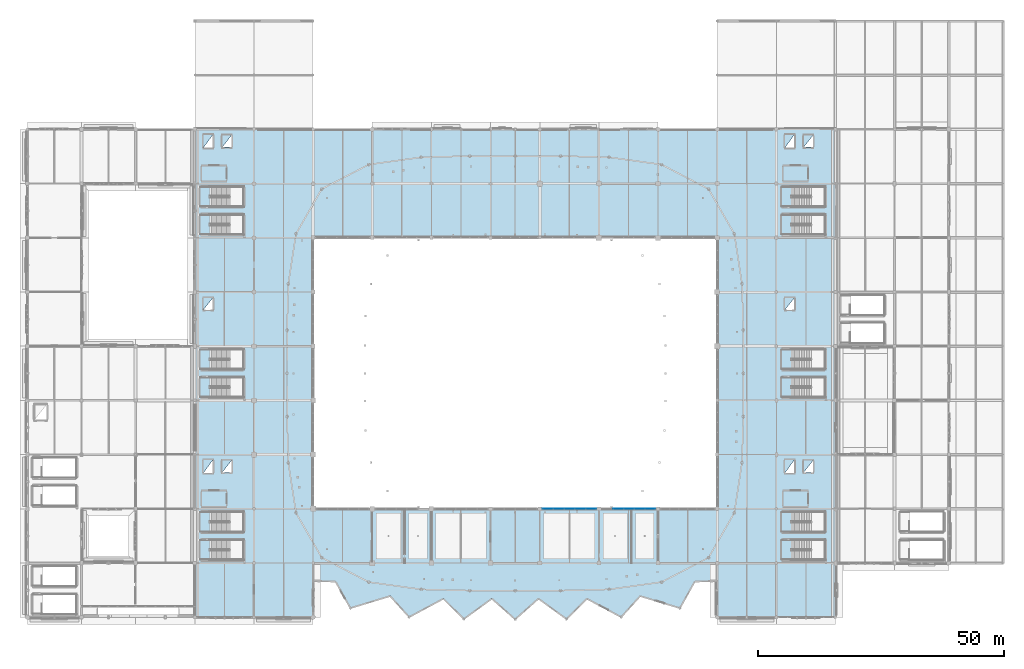
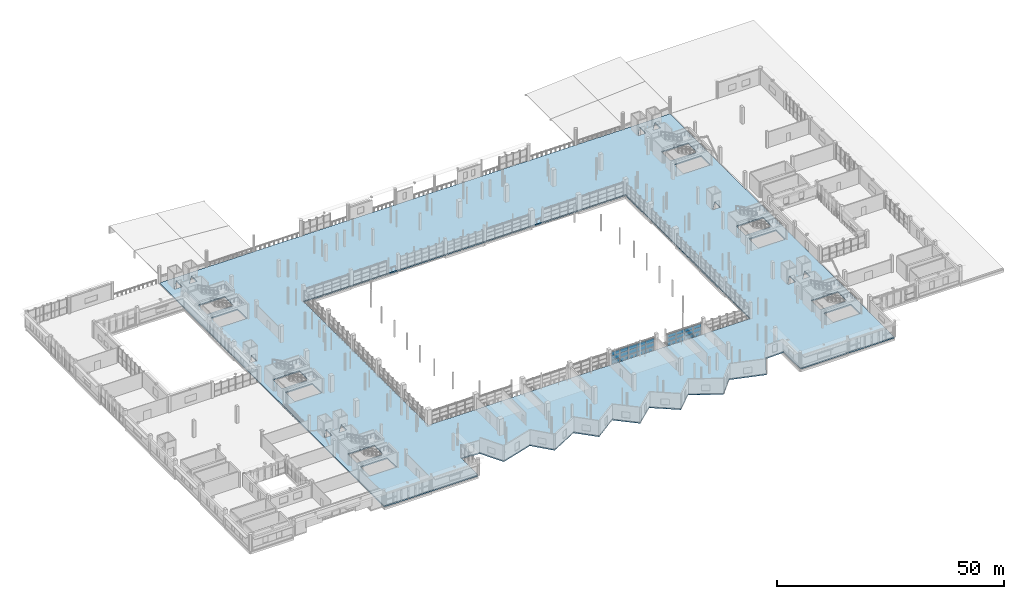
# One storey, part 68 of 118: 27 plates, 1 slab, 2 elements without a shape of their own.
"""IFC4 building model written with IfcOpenShell, lengths in metres."""

from ifc_helpers import new_model, si_unit, direction, frame, origin, origin_2d, place, context, subcontext, project, spatial, polyline, rectangle, outline, extrude, material, layer, layer_set, type_object, element, aggregate, save


model = new_model("IFC4")

# Units and contexts
model_context = context("Model", 3, precision=1e-05, world=origin(), true_north=direction((0.0, 1.0)))
body_context = subcontext(model_context, "Body", "Model", "MODEL_VIEW")
ifc_project = project(units=[si_unit("LENGTHUNIT", "METRE"), si_unit("AREAUNIT", "SQUARE_METRE"), si_unit("VOLUMEUNIT", "CUBIC_METRE"), si_unit("PLANEANGLEUNIT", "RADIAN"), si_unit("MASSUNIT", "GRAM", prefix="KILO")], contexts=[model_context])

# Site, building, storey
site_placement = place(None, origin())
site = spatial("IfcSite", under=ifc_project, at=site_placement, CompositionType="ELEMENT")
building_placement = place(site_placement, origin())
building = spatial("IfcBuilding", under=site, at=building_placement, Name="Luwafu Chhajja Arena", CompositionType="ELEMENT")
storey_placement = place(building_placement, frame((0.0, 0.0, 10.199951171875)))
storey = spatial("IfcBuildingStorey", under=building, at=storey_placement, Name="L02", CompositionType="ELEMENT", Elevation=10.199951171875)

# Slab
ifc_material_1 = material(Name="Concrete C35/45", Category="concrete")
ifc_layer_1 = layer(ifc_material_1, 0.320068359375, Name="Concrete C35/45")
ifc_layer_set_1 = layer_set([ifc_layer_1], Name="Concrete C35/45")
slab_type = type_object("IfcSlabType", Name="Hospitality Suite Floor Slab 320", PredefinedType="FLOOR", material=ifc_layer_set_1)
slab_placement = place(storey_placement, frame((0.0, 0.0, -0.320068359375)))
element("IfcSlab", 1, at=slab_placement, inside=storey, type_object=slab_type, Name="L02 Structural Floor Slab 1", PredefinedType="FLOOR", context=body_context, shape_type="SweptSolid", body=[
    extrude(outline(polyline([(163.949951171875, 99.0), (163.949951171875, 0.0), (140.0, 0.0), (140.0, 7.407958984375), (135.426025390625, 7.237060546875), (132.427978515625, 1.864013671875), (124.364013671875, 4.31591796875), (120.510986328125, 0.051025390625), (113.56689453125, 3.77587890625), (109.412109375, -0.343017578125), (103.72802734375, 3.7900390625), (99.0, -0.39990234375), (94.27197265625, 3.7900390625), (88.587890625, -0.343017578125), (84.43310546875, 3.77587890625), (77.489013671875, 0.051025390625), (73.635986328125, 4.31591796875), (65.572998046875, 1.864013671875), (62.573974609375, 7.237060546875), (58.0, 7.407958984375), (58.0, 0.0), (34.050048828125, 0.0), (34.050048828125, 99.0), (163.949951171875, 99.0)]), holes=[polyline([(161.89990234375, 81.68994140625), (155.06494140625, 81.68994140625), (155.06494140625, 77.64990234375), (161.89990234375, 77.64990234375), (161.89990234375, 81.68994140625)]), polyline([(161.89990234375, 48.68994140625), (155.06494140625, 48.68994140625), (155.06494140625, 44.64990234375), (161.89990234375, 44.64990234375), (161.89990234375, 48.68994140625)]), polyline([(161.89990234375, 15.68994140625), (155.06494140625, 15.68994140625), (155.06494140625, 11.64990234375), (161.89990234375, 11.64990234375), (161.89990234375, 15.68994140625)]), polyline([(161.89990234375, 17.31005859375), (161.89990234375, 21.35009765625), (155.06494140625, 21.35009765625), (155.06494140625, 17.31005859375), (161.89990234375, 17.31005859375)]), polyline([(161.89990234375, 50.31005859375), (161.89990234375, 54.35009765625), (155.06494140625, 54.35009765625), (155.06494140625, 50.31005859375), (161.89990234375, 50.31005859375)]), polyline([(161.89990234375, 83.31005859375), (161.89990234375, 87.35009765625), (155.06494140625, 87.35009765625), (155.06494140625, 83.31005859375), (161.89990234375, 83.31005859375)]), polyline([(157.530029296875, 29.3798828125), (159.469970703125, 29.3798828125), (159.469970703125, 31.820068359375), (157.530029296875, 29.3798828125)]), polyline([(159.469970703125, 97.820068359375), (157.530029296875, 95.3798828125), (159.469970703125, 95.3798828125), (159.469970703125, 97.820068359375)]), polyline([(153.72998046875, 62.3798828125), (155.669921875, 62.3798828125), (155.669921875, 64.820068359375), (153.72998046875, 62.3798828125)]), polyline([(153.72998046875, 95.2548828125), (155.669921875, 95.2548828125), (155.669921875, 97.945068359375), (153.72998046875, 95.2548828125)]), polyline([(155.669921875, 29.2548828125), (155.669921875, 31.945068359375), (153.72998046875, 29.2548828125), (155.669921875, 29.2548828125)]), polyline([(140.0, 77.0), (58.0, 77.0), (58.0, 22.0), (140.0, 22.0), (140.0, 77.0)]), polyline([(37.06494140625, 87.35009765625), (37.06494140625, 83.31005859375), (43.89990234375, 83.31005859375), (43.89990234375, 87.35009765625), (37.06494140625, 87.35009765625)]), polyline([(37.06494140625, 21.35009765625), (37.06494140625, 17.31005859375), (43.89990234375, 17.31005859375), (43.89990234375, 21.35009765625), (37.06494140625, 21.35009765625)]), polyline([(37.06494140625, 11.64990234375), (43.89990234375, 11.64990234375), (43.89990234375, 15.68994140625), (37.06494140625, 15.68994140625), (37.06494140625, 11.64990234375)]), polyline([(37.06494140625, 44.64990234375), (43.89990234375, 44.64990234375), (43.89990234375, 48.68994140625), (37.06494140625, 48.68994140625), (37.06494140625, 44.64990234375)]), polyline([(37.06494140625, 77.64990234375), (43.89990234375, 77.64990234375), (43.89990234375, 81.68994140625), (37.06494140625, 81.68994140625), (37.06494140625, 77.64990234375)]), polyline([(37.06494140625, 54.35009765625), (37.06494140625, 50.31005859375), (43.89990234375, 50.31005859375), (43.89990234375, 54.35009765625), (37.06494140625, 54.35009765625)]), polyline([(41.469970703125, 95.3798828125), (41.469970703125, 97.820068359375), (39.530029296875, 95.3798828125), (41.469970703125, 95.3798828125)]), polyline([(41.469970703125, 31.820068359375), (39.530029296875, 29.3798828125), (41.469970703125, 29.3798828125), (41.469970703125, 31.820068359375)]), polyline([(37.669921875, 97.945068359375), (35.72998046875, 95.2548828125), (37.669921875, 95.2548828125), (37.669921875, 97.945068359375)]), polyline([(35.72998046875, 29.2548828125), (37.669921875, 29.2548828125), (37.669921875, 31.945068359375), (35.72998046875, 29.2548828125)]), polyline([(37.669921875, 62.3798828125), (37.669921875, 64.820068359375), (35.72998046875, 62.3798828125), (37.669921875, 62.3798828125)])]), origin(), (0.0, 0.0, 1.0), 0.320068359375),
])

# Curtain wall, plates
ifc_material_2 = material(Name="Anodised bronze aluminium", Category="aluminium")
curtain_wall_type = type_object("IfcCurtainWallType", Name="Hospitality Ring Curtain Wall", PredefinedType="USERDEFINED", material=ifc_material_2)
curtain_wall_1_placement = place(storey_placement, origin())
curtain_wall_1 = element("IfcCurtainWall", 2, at=curtain_wall_1_placement, inside=storey, type_object=curtain_wall_type, Name="L02 Bowl Viewing Curtain Wall CWR-L02-05", ObjectType="CURTAIN WALL", PredefinedType="USERDEFINED")
ifc_material_3 = material(Name="Solar-control laminated glass", Category="glass")
ifc_layer_2 = layer(ifc_material_3, 0.028076171875, Name="Solar-control laminated glass")
ifc_layer_set_2 = layer_set([ifc_layer_2], Name="Solar-control laminated glass")
plate_type = type_object("IfcPlateType", Name="Solar Control Double Glazed CW Panel 28", PredefinedType="CURTAIN_PANEL", material=ifc_layer_set_2)
plate_1_placement = place(storey_placement, frame((105.650634765625, 22.0, 0.06494140625), z_axis=(0.0, 0.0, 1.0), x_axis=(1.0, 0.0, 0.0)))
plate_1 = element("IfcPlate", 3, at=plate_1_placement, type_object=plate_type, Name="CW-02 panel 1.1", PredefinedType="CURTAIN_PANEL", context=body_context, shape_type="SweptSolid", body=[
    extrude(rectangle(XDim=2.091552734375, YDim=0.028076171875, at=origin_2d()), origin(), (0.0, 0.0, 1.0), 1.052490234375),
])
plate_2_placement = place(storey_placement, frame((105.650634765625, 22.0, 1.1826171875), z_axis=(0.0, 0.0, 1.0), x_axis=(1.0, 0.0, 0.0)))
plate_2 = element("IfcPlate", 4, at=plate_2_placement, type_object=plate_type, Name="CW-02 panel 1.2", PredefinedType="CURTAIN_PANEL", context=body_context, shape_type="SweptSolid", body=[
    extrude(rectangle(XDim=2.091552734375, YDim=0.028076171875, at=origin_2d()), origin(), (0.0, 0.0, 1.0), 1.094970703125),
])
plate_3_placement = place(storey_placement, frame((105.650634765625, 22.0, 2.34228515625), z_axis=(0.0, 0.0, 1.0), x_axis=(1.0, 0.0, 0.0)))
plate_3 = element("IfcPlate", 5, at=plate_3_placement, type_object=plate_type, Name="CW-02 panel 1.3", PredefinedType="CURTAIN_PANEL", context=body_context, shape_type="SweptSolid", body=[
    extrude(rectangle(XDim=2.091552734375, YDim=0.028076171875, at=origin_2d()), origin(), (0.0, 0.0, 1.0), 1.0625),
])
plate_4_placement = place(storey_placement, frame((107.823486328125, 22.0, 0.06494140625), z_axis=(0.0, 0.0, 1.0), x_axis=(1.0, 0.0, 0.0)))
plate_4 = element("IfcPlate", 6, at=plate_4_placement, type_object=plate_type, Name="CW-02 panel 2.1", PredefinedType="CURTAIN_PANEL", context=body_context, shape_type="SweptSolid", body=[
    extrude(rectangle(XDim=2.1240234375, YDim=0.028076171875, at=origin_2d()), origin(), (0.0, 0.0, 1.0), 1.052490234375),
])
plate_5_placement = place(storey_placement, frame((107.823486328125, 22.0, 1.1826171875), z_axis=(0.0, 0.0, 1.0), x_axis=(1.0, 0.0, 0.0)))
plate_5 = element("IfcPlate", 7, at=plate_5_placement, type_object=plate_type, Name="CW-02 panel 2.2", PredefinedType="CURTAIN_PANEL", context=body_context, shape_type="SweptSolid", body=[
    extrude(rectangle(XDim=2.1240234375, YDim=0.028076171875, at=origin_2d()), origin(), (0.0, 0.0, 1.0), 1.094970703125),
])
plate_6_placement = place(storey_placement, frame((107.823486328125, 22.0, 2.34228515625), z_axis=(0.0, 0.0, 1.0), x_axis=(1.0, 0.0, 0.0)))
plate_6 = element("IfcPlate", 8, at=plate_6_placement, type_object=plate_type, Name="CW-02 panel 2.3", PredefinedType="CURTAIN_PANEL", context=body_context, shape_type="SweptSolid", body=[
    extrude(rectangle(XDim=2.1240234375, YDim=0.028076171875, at=origin_2d()), origin(), (0.0, 0.0, 1.0), 1.0625),
])
plate_7_placement = place(storey_placement, frame((110.012451171875, 22.0, 0.06494140625), z_axis=(0.0, 0.0, 1.0), x_axis=(1.0, 0.0, 0.0)))
plate_7 = element("IfcPlate", 9, at=plate_7_placement, type_object=plate_type, Name="CW-02 panel 3.1", PredefinedType="CURTAIN_PANEL", context=body_context, shape_type="SweptSolid", body=[
    extrude(rectangle(XDim=2.1240234375, YDim=0.028076171875, at=origin_2d()), origin(), (0.0, 0.0, 1.0), 1.052490234375),
])
plate_8_placement = place(storey_placement, frame((110.012451171875, 22.0, 1.1826171875), z_axis=(0.0, 0.0, 1.0), x_axis=(1.0, 0.0, 0.0)))
plate_8 = element("IfcPlate", 10, at=plate_8_placement, type_object=plate_type, Name="CW-02 panel 3.2", PredefinedType="CURTAIN_PANEL", context=body_context, shape_type="SweptSolid", body=[
    extrude(rectangle(XDim=2.1240234375, YDim=0.028076171875, at=origin_2d()), origin(), (0.0, 0.0, 1.0), 1.094970703125),
])
plate_9_placement = place(storey_placement, frame((110.012451171875, 22.0, 2.34228515625), z_axis=(0.0, 0.0, 1.0), x_axis=(1.0, 0.0, 0.0)))
plate_9 = element("IfcPlate", 11, at=plate_9_placement, type_object=plate_type, Name="CW-02 panel 3.3", PredefinedType="CURTAIN_PANEL", context=body_context, shape_type="SweptSolid", body=[
    extrude(rectangle(XDim=2.1240234375, YDim=0.028076171875, at=origin_2d()), origin(), (0.0, 0.0, 1.0), 1.0625),
])
plate_10_placement = place(storey_placement, frame((112.201416015625, 22.0, 0.06494140625), z_axis=(0.0, 0.0, 1.0), x_axis=(1.0, 0.0, 0.0)))
plate_10 = element("IfcPlate", 12, at=plate_10_placement, type_object=plate_type, Name="CW-02 panel 4.1", PredefinedType="CURTAIN_PANEL", context=body_context, shape_type="SweptSolid", body=[
    extrude(rectangle(XDim=2.1240234375, YDim=0.028076171875, at=origin_2d()), origin(), (0.0, 0.0, 1.0), 1.052490234375),
])
plate_11_placement = place(storey_placement, frame((112.201416015625, 22.0, 1.1826171875), z_axis=(0.0, 0.0, 1.0), x_axis=(1.0, 0.0, 0.0)))
plate_11 = element("IfcPlate", 13, at=plate_11_placement, type_object=plate_type, Name="CW-02 panel 4.2", PredefinedType="CURTAIN_PANEL", context=body_context, shape_type="SweptSolid", body=[
    extrude(rectangle(XDim=2.1240234375, YDim=0.028076171875, at=origin_2d()), origin(), (0.0, 0.0, 1.0), 1.094970703125),
])
plate_12_placement = place(storey_placement, frame((112.201416015625, 22.0, 2.34228515625), z_axis=(0.0, 0.0, 1.0), x_axis=(1.0, 0.0, 0.0)))
plate_12 = element("IfcPlate", 14, at=plate_12_placement, type_object=plate_type, Name="CW-02 panel 4.3", PredefinedType="CURTAIN_PANEL", context=body_context, shape_type="SweptSolid", body=[
    extrude(rectangle(XDim=2.1240234375, YDim=0.028076171875, at=origin_2d()), origin(), (0.0, 0.0, 1.0), 1.0625),
])
plate_13_placement = place(storey_placement, frame((114.374267578125, 22.0, 0.06494140625), z_axis=(0.0, 0.0, 1.0), x_axis=(1.0, 0.0, 0.0)))
plate_13 = element("IfcPlate", 15, at=plate_13_placement, type_object=plate_type, Name="CW-02 panel 5.1", PredefinedType="CURTAIN_PANEL", context=body_context, shape_type="SweptSolid", body=[
    extrude(rectangle(XDim=2.091552734375, YDim=0.028076171875, at=origin_2d()), origin(), (0.0, 0.0, 1.0), 1.052490234375),
])
plate_14_placement = place(storey_placement, frame((114.374267578125, 22.0, 1.1826171875), z_axis=(0.0, 0.0, 1.0), x_axis=(1.0, 0.0, 0.0)))
plate_14 = element("IfcPlate", 16, at=plate_14_placement, type_object=plate_type, Name="CW-02 panel 5.2", PredefinedType="CURTAIN_PANEL", context=body_context, shape_type="SweptSolid", body=[
    extrude(rectangle(XDim=2.091552734375, YDim=0.028076171875, at=origin_2d()), origin(), (0.0, 0.0, 1.0), 1.094970703125),
])
plate_15_placement = place(storey_placement, frame((114.374267578125, 22.0, 2.34228515625), z_axis=(0.0, 0.0, 1.0), x_axis=(1.0, 0.0, 0.0)))
plate_15 = element("IfcPlate", 17, at=plate_15_placement, type_object=plate_type, Name="CW-02 panel 5.3", PredefinedType="CURTAIN_PANEL", context=body_context, shape_type="SweptSolid", body=[
    extrude(rectangle(XDim=2.091552734375, YDim=0.028076171875, at=origin_2d()), origin(), (0.0, 0.0, 1.0), 1.0625),
])
aggregate(curtain_wall_1, [plate_1, plate_2, plate_3, plate_4, plate_5, plate_6, plate_7, plate_8, plate_9, plate_10, plate_11, plate_12, plate_13, plate_14, plate_15])

curtain_wall_2_placement = place(storey_placement, origin())
curtain_wall_2 = element("IfcCurtainWall", 18, at=curtain_wall_2_placement, inside=storey, type_object=curtain_wall_type, Name="L02 Bowl Viewing Curtain Wall CWR-L02-06", ObjectType="CURTAIN WALL", PredefinedType="USERDEFINED")
plate_16_placement = place(storey_placement, frame((119.96337890625, 22.0, 0.06494140625), z_axis=(0.0, 0.0, 1.0), x_axis=(1.0, 0.0, 0.0)))
plate_16 = element("IfcPlate", 19, at=plate_16_placement, type_object=plate_type, Name="CW-02 panel 1.1", PredefinedType="CURTAIN_PANEL", context=body_context, shape_type="SweptSolid", body=[
    extrude(rectangle(XDim=2.063232421875, YDim=0.028076171875, at=origin_2d()), origin(), (0.0, 0.0, 1.0), 1.052490234375),
])
plate_17_placement = place(storey_placement, frame((119.96337890625, 22.0, 1.1826171875), z_axis=(0.0, 0.0, 1.0), x_axis=(1.0, 0.0, 0.0)))
plate_17 = element("IfcPlate", 20, at=plate_17_placement, type_object=plate_type, Name="CW-02 panel 1.2", PredefinedType="CURTAIN_PANEL", context=body_context, shape_type="SweptSolid", body=[
    extrude(rectangle(XDim=2.063232421875, YDim=0.028076171875, at=origin_2d()), origin(), (0.0, 0.0, 1.0), 0.929931640625),
])
plate_18_placement = place(storey_placement, frame((119.96337890625, 22.0, 2.177490234375), z_axis=(0.0, 0.0, 1.0), x_axis=(1.0, 0.0, 0.0)))
plate_18 = element("IfcPlate", 21, at=plate_18_placement, type_object=plate_type, Name="CW-02 panel 1.3", PredefinedType="CURTAIN_PANEL", context=body_context, shape_type="SweptSolid", body=[
    extrude(rectangle(XDim=2.063232421875, YDim=0.028076171875, at=origin_2d()), origin(), (0.0, 0.0, 1.0), 0.8974609375),
])
plate_19_placement = place(storey_placement, frame((122.10791015625, 22.0, 0.06494140625), z_axis=(0.0, 0.0, 1.0), x_axis=(1.0, 0.0, 0.0)))
plate_19 = element("IfcPlate", 22, at=plate_19_placement, type_object=plate_type, Name="CW-02 panel 2.1", PredefinedType="CURTAIN_PANEL", context=body_context, shape_type="SweptSolid", body=[
    extrude(rectangle(XDim=2.095947265625, YDim=0.028076171875, at=origin_2d()), origin(), (0.0, 0.0, 1.0), 1.052490234375),
])
plate_20_placement = place(storey_placement, frame((122.10791015625, 22.0, 1.1826171875), z_axis=(0.0, 0.0, 1.0), x_axis=(1.0, 0.0, 0.0)))
plate_20 = element("IfcPlate", 23, at=plate_20_placement, type_object=plate_type, Name="CW-02 panel 2.2", PredefinedType="CURTAIN_PANEL", context=body_context, shape_type="SweptSolid", body=[
    extrude(rectangle(XDim=2.095947265625, YDim=0.028076171875, at=origin_2d()), origin(), (0.0, 0.0, 1.0), 0.929931640625),
])
plate_21_placement = place(storey_placement, frame((122.10791015625, 22.0, 2.177490234375), z_axis=(0.0, 0.0, 1.0), x_axis=(1.0, 0.0, 0.0)))
plate_21 = element("IfcPlate", 24, at=plate_21_placement, type_object=plate_type, Name="CW-02 panel 2.3", PredefinedType="CURTAIN_PANEL", context=body_context, shape_type="SweptSolid", body=[
    extrude(rectangle(XDim=2.095947265625, YDim=0.028076171875, at=origin_2d()), origin(), (0.0, 0.0, 1.0), 0.8974609375),
])
plate_22_placement = place(storey_placement, frame((124.268798828125, 22.0, 0.06494140625), z_axis=(0.0, 0.0, 1.0), x_axis=(1.0, 0.0, 0.0)))
plate_22 = element("IfcPlate", 25, at=plate_22_placement, type_object=plate_type, Name="CW-02 panel 3.1", PredefinedType="CURTAIN_PANEL", context=body_context, shape_type="SweptSolid", body=[
    extrude(rectangle(XDim=2.095947265625, YDim=0.028076171875, at=origin_2d()), origin(), (0.0, 0.0, 1.0), 1.052490234375),
])
plate_23_placement = place(storey_placement, frame((124.268798828125, 22.0, 1.1826171875), z_axis=(0.0, 0.0, 1.0), x_axis=(1.0, 0.0, 0.0)))
plate_23 = element("IfcPlate", 26, at=plate_23_placement, type_object=plate_type, Name="CW-02 panel 3.2", PredefinedType="CURTAIN_PANEL", context=body_context, shape_type="SweptSolid", body=[
    extrude(rectangle(XDim=2.095947265625, YDim=0.028076171875, at=origin_2d()), origin(), (0.0, 0.0, 1.0), 0.929931640625),
])
plate_24_placement = place(storey_placement, frame((124.268798828125, 22.0, 2.177490234375), z_axis=(0.0, 0.0, 1.0), x_axis=(1.0, 0.0, 0.0)))
plate_24 = element("IfcPlate", 27, at=plate_24_placement, type_object=plate_type, Name="CW-02 panel 3.3", PredefinedType="CURTAIN_PANEL", context=body_context, shape_type="SweptSolid", body=[
    extrude(rectangle(XDim=2.095947265625, YDim=0.028076171875, at=origin_2d()), origin(), (0.0, 0.0, 1.0), 0.8974609375),
])
plate_25_placement = place(storey_placement, frame((126.413330078125, 22.0, 0.06494140625), z_axis=(0.0, 0.0, 1.0), x_axis=(1.0, 0.0, 0.0)))
plate_25 = element("IfcPlate", 28, at=plate_25_placement, type_object=plate_type, Name="CW-02 panel 4.1", PredefinedType="CURTAIN_PANEL", context=body_context, shape_type="SweptSolid", body=[
    extrude(rectangle(XDim=2.063232421875, YDim=0.028076171875, at=origin_2d()), origin(), (0.0, 0.0, 1.0), 1.052490234375),
])
plate_26_placement = place(storey_placement, frame((126.413330078125, 22.0, 1.1826171875), z_axis=(0.0, 0.0, 1.0), x_axis=(1.0, 0.0, 0.0)))
plate_26 = element("IfcPlate", 29, at=plate_26_placement, type_object=plate_type, Name="CW-02 panel 4.2", PredefinedType="CURTAIN_PANEL", context=body_context, shape_type="SweptSolid", body=[
    extrude(rectangle(XDim=2.063232421875, YDim=0.028076171875, at=origin_2d()), origin(), (0.0, 0.0, 1.0), 0.929931640625),
])
plate_27_placement = place(storey_placement, frame((126.413330078125, 22.0, 2.177490234375), z_axis=(0.0, 0.0, 1.0), x_axis=(1.0, 0.0, 0.0)))
plate_27 = element("IfcPlate", 30, at=plate_27_placement, type_object=plate_type, Name="CW-02 panel 4.3", PredefinedType="CURTAIN_PANEL", context=body_context, shape_type="SweptSolid", body=[
    extrude(rectangle(XDim=2.063232421875, YDim=0.028076171875, at=origin_2d()), origin(), (0.0, 0.0, 1.0), 0.8974609375),
])
aggregate(curtain_wall_2, [plate_16, plate_17, plate_18, plate_19, plate_20, plate_21, plate_22, plate_23, plate_24, plate_25, plate_26, plate_27])

save(model, "model.ifc")
